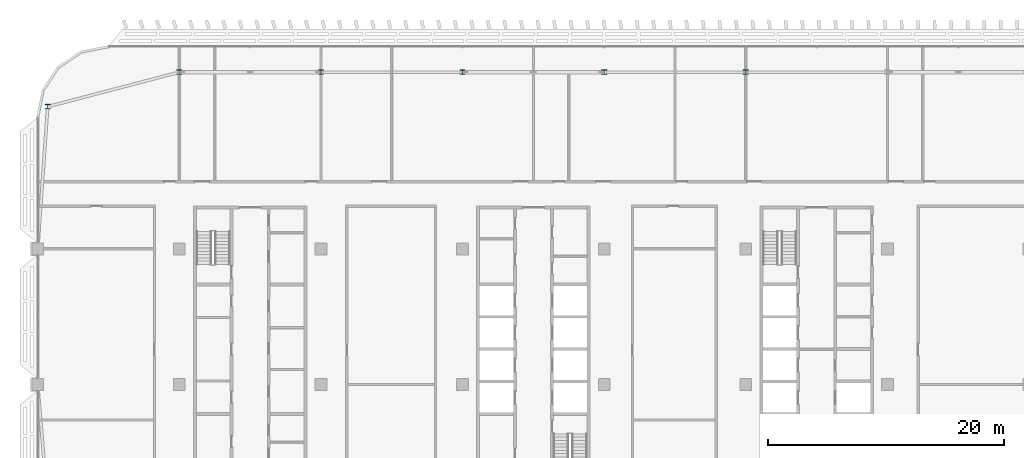
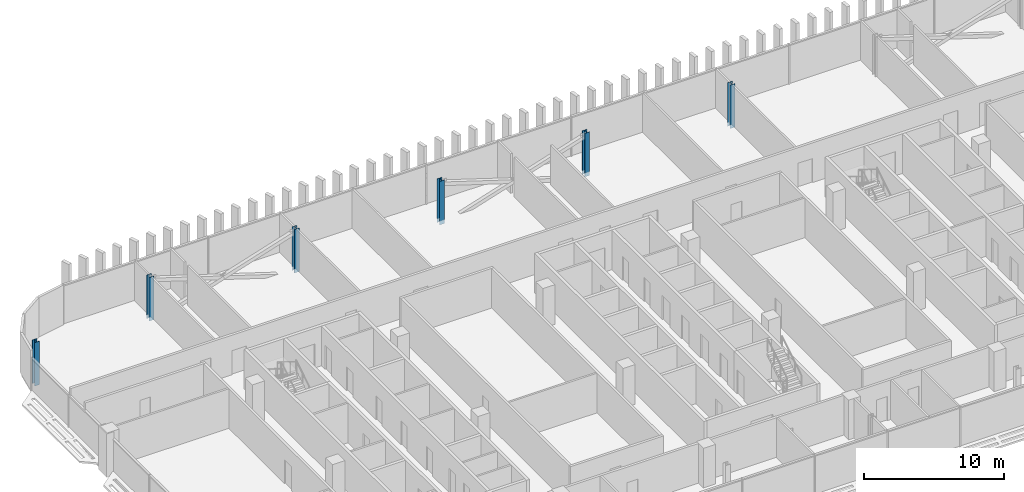
# One storey, part 3 of 32: 6 columns.
"""IFC4 building model written with IfcOpenShell, lengths in metres."""

from ifc_helpers import new_model, si_unit, direction, frame, origin, origin_2d, place, context, subcontext, project, spatial, i_section, extrude, material, material_profile, profile_set, type_object, element, save


model = new_model("IFC4")

# Units and contexts
model_context = context("Model", 3, precision=1e-05, world=origin(), true_north=direction((0.0, 1.0)))
body_context = subcontext(model_context, "Body", "Model", "MODEL_VIEW")
ifc_project = project(units=[si_unit("LENGTHUNIT", "METRE"), si_unit("AREAUNIT", "SQUARE_METRE"), si_unit("VOLUMEUNIT", "CUBIC_METRE"), si_unit("PLANEANGLEUNIT", "RADIAN"), si_unit("MASSUNIT", "GRAM", prefix="KILO")], contexts=[model_context])

# Site, building, storey
site_placement = place(None, origin())
site = spatial("IfcSite", under=ifc_project, at=site_placement, CompositionType="ELEMENT")
building_placement = place(site_placement, origin())
building = spatial("IfcBuilding", under=site, at=building_placement, Name="Mahtab Terrace Research Tower", CompositionType="ELEMENT")
storey_placement = place(building_placement, frame((0.0, 0.0, 232.39990234375)))
storey = spatial("IfcBuildingStorey", under=building, at=storey_placement, Name="L56", CompositionType="ELEMENT", Elevation=232.39990234375)

# Columns
ifc_material = material(Name="Steel ASTM A992 Gr 50", Category="steel")
ifc_material_profile = material_profile(ifc_material, i_section(OverallWidth=0.398681640625, OverallDepth=0.385986328125, WebThickness=0.02099609375, FlangeThickness=0.033203125, at=origin_2d()), Name="W14X176")
ifc_profile_set = profile_set([ifc_material_profile], Name="Steel ASTM A992 Gr 50")
column_type = type_object("IfcColumnType", Name="W14x176 column CS14176", PredefinedType="COLUMN", material=ifc_profile_set)
for number, where, z_axis, x_axis, name in (
    (1, (18.0, 26.472900390625, -0.33984375), (0.0, 0.0, 1.0), (1.0, 0.0, 0.0), "Column SC-055 L56"),
    (2, (6.0, 26.472900390625, -0.33984375), (0.0, 0.0, 1.0), (1.0, 0.0, 0.0), "Column SC-056 L56"),
    (3, (-6.0, 26.472900390625, -0.33984375), (0.0, 0.0, 1.0), (1.0, 0.0, 0.0), "Column SC-057 L56"),
    (4, (-18.0, 26.472900390625, -0.33984375), (0.0, 0.0, 1.0), (1.0, 0.0, 0.0), "Column SC-058 L56"),
    (5, (-30.0, 26.472900390625, -0.33984375), (0.0, 0.0, 1.0), (1.0, 0.0, 0.0), "Column SC-059 L56"),
    (6, (-41.154052734375, 23.5458984375, -0.33984375), (0.0, 0.0, 1.0), (1.0, 0.0, 0.0), "Column SC-060 L56"),
):
    element("IfcColumn", number, at=place(storey_placement, frame(where, z_axis=z_axis, x_axis=x_axis)), inside=storey, type_object=column_type, Name=name, PredefinedType="COLUMN", context=body_context, shape_type="SweptSolid", body=[
        extrude(i_section(OverallWidth=0.398681640625, OverallDepth=0.385986328125, WebThickness=0.02099609375, FlangeThickness=0.033203125, at=origin_2d()), origin(), (0.0, 0.0, 1.0), 3.800048828125),
    ])

save(model, "model.ifc")
